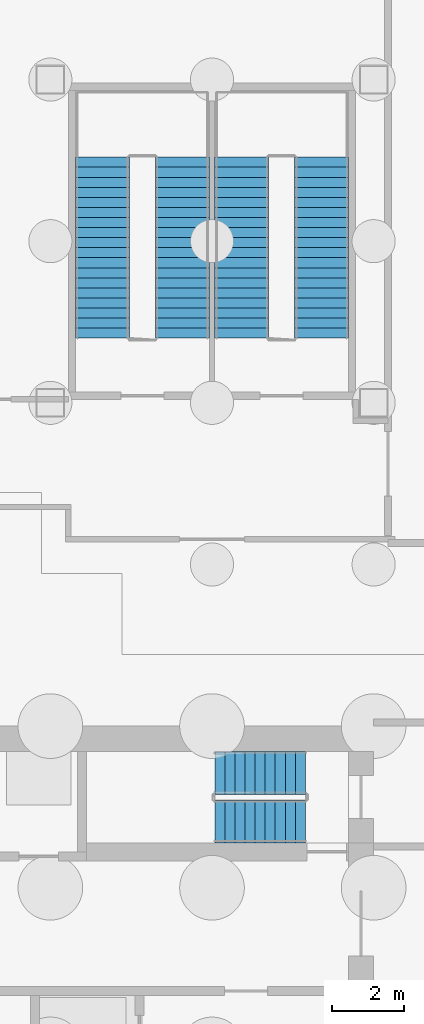
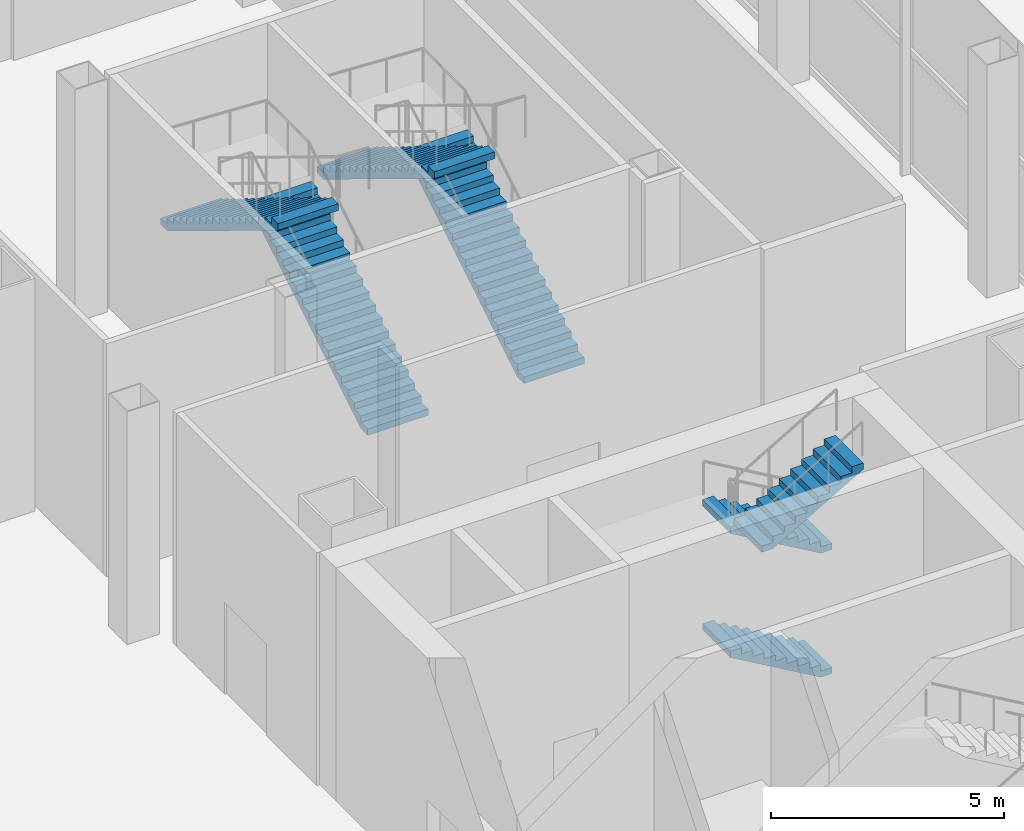
# One storey, part 29 of 37: 7 stair flights, 3 elements without a shape of their own.
"""IFC4 building model written with IfcOpenShell, lengths in metres."""

from ifc_helpers import new_model, si_unit, direction, frame, origin, place, context, subcontext, project, spatial, polyline, outline, extrude, material, type_object, element, aggregate, save


model = new_model("IFC4")

# Units and contexts
model_context = context("Model", 3, precision=1e-05, world=origin(), true_north=direction((0.0, 1.0)))
body_context = subcontext(model_context, "Body", "Model", "MODEL_VIEW")
ifc_project = project(units=[si_unit("LENGTHUNIT", "METRE"), si_unit("AREAUNIT", "SQUARE_METRE"), si_unit("VOLUMEUNIT", "CUBIC_METRE"), si_unit("PLANEANGLEUNIT", "RADIAN"), si_unit("MASSUNIT", "GRAM", prefix="KILO")], contexts=[model_context])

# Site, building, storey
site_placement = place(None, origin())
site = spatial("IfcSite", under=ifc_project, at=site_placement, CompositionType="ELEMENT")
building_placement = place(site_placement, origin())
building = spatial("IfcBuilding", under=site, at=building_placement, Name="Shamsa Quay Exchange Towers", CompositionType="ELEMENT")
storey_placement = place(building_placement, origin())
storey = spatial("IfcBuildingStorey", under=building, at=storey_placement, Name="L00", CompositionType="ELEMENT", Elevation=0.0)

# Stair, stair flights
ifc_material = material(Name="Concrete C40/50", Category="concrete")
stair_type_1 = type_object("IfcStairType", Name="EXIT STAIR 40 RISERS 162 MM", PredefinedType="HALF_TURN_STAIR", material=ifc_material)
stair_1_placement = place(storey_placement, origin())
stair_1 = element("IfcStair", 1, at=stair_1_placement, inside=storey, type_object=stair_type_1, Name="L00 Exit stair ST6", PredefinedType="HALF_TURN_STAIR")
stair_flight_type_1 = type_object("IfcStairFlightType", Name="EXIT STAIR FLIGHT 10 RISERS 162 MM", PredefinedType="STRAIGHT", material=ifc_material)
stair_flight_1_placement = place(storey_placement, frame((52.10009765625, 5.449951171875, 0.0), z_axis=(0.0, 0.0, 1.0), x_axis=(-1.0, 0.0, 0.0)))
stair_flight_1 = element("IfcStairFlight", 2, at=stair_flight_1_placement, type_object=stair_flight_type_1, Name="ST6 flight 1", NumberOfRisers=10, NumberOfTreads=9, PredefinedType="STRAIGHT", RiserHeight=0.1625, TreadLength=0.28, context=body_context, shape_type="SweptSolid", body=[
    extrude(outline(polyline([(0.0, 0.0), (0.0, 0.16259765625), (0.280029296875, 0.16259765625), (0.280029296875, 0.324951171875), (0.56005859375, 0.324951171875), (0.56005859375, 0.487548828125), (0.840087890625, 0.487548828125), (0.840087890625, 0.64990234375), (1.1201171875, 0.64990234375), (1.1201171875, 0.8125), (1.39990234375, 0.8125), (1.39990234375, 0.97509765625), (1.679931640625, 0.97509765625), (1.679931640625, 1.137451171875), (1.9599609375, 1.137451171875), (1.9599609375, 1.300048828125), (2.239990234375, 1.300048828125), (2.239990234375, 1.46240234375), (2.52001953125, 1.46240234375), (2.52001953125, 1.625), (2.52001953125, 1.30078125), (0.27880859375, 0.0), (0.0, 0.0)])), frame((0.0, 0.60009765625, 0.0), z_axis=(0.0, -1.0, 0.0), x_axis=(1.0, 0.0, 0.0)), (0.0, 0.0, 1.0), 1.199951171875),
])
stair_flight_2_placement = place(storey_placement, frame((52.10009765625, 5.449951171875, 3.25), z_axis=(0.0, 0.0, 1.0), x_axis=(-1.0, 0.0, 0.0)))
stair_flight_2 = element("IfcStairFlight", 3, at=stair_flight_2_placement, type_object=stair_flight_type_1, Name="ST6 flight 3", NumberOfRisers=10, NumberOfTreads=9, PredefinedType="STRAIGHT", RiserHeight=0.1625, TreadLength=0.28, context=body_context, shape_type="SweptSolid", body=[
    extrude(outline(polyline([(0.0, 0.0), (0.0, 0.16259765625), (0.280029296875, 0.16259765625), (0.280029296875, 0.324951171875), (0.56005859375, 0.324951171875), (0.56005859375, 0.487548828125), (0.840087890625, 0.487548828125), (0.840087890625, 0.64990234375), (1.1201171875, 0.64990234375), (1.1201171875, 0.8125), (1.39990234375, 0.8125), (1.39990234375, 0.97509765625), (1.679931640625, 0.97509765625), (1.679931640625, 1.137451171875), (1.9599609375, 1.137451171875), (1.9599609375, 1.300048828125), (2.239990234375, 1.300048828125), (2.239990234375, 1.46240234375), (2.52001953125, 1.46240234375), (2.52001953125, 1.625), (2.52001953125, 1.30078125), (0.27880859375, 0.0), (0.0, 0.0)])), frame((0.0, 0.60009765625, 0.0), z_axis=(0.0, -1.0, 0.0), x_axis=(1.0, 0.0, 0.0)), (0.0, 0.0, 1.0), 1.199951171875),
])
stair_flight_3_placement = place(storey_placement, frame((49.580078125, 4.10009765625, 4.875)))
stair_flight_3 = element("IfcStairFlight", 4, at=stair_flight_3_placement, type_object=stair_flight_type_1, Name="ST6 flight 4", NumberOfRisers=10, NumberOfTreads=9, PredefinedType="STRAIGHT", RiserHeight=0.1625, TreadLength=0.28, context=body_context, shape_type="SweptSolid", body=[
    extrude(outline(polyline([(0.0, 0.0), (0.0, 0.16259765625), (0.280029296875, 0.16259765625), (0.280029296875, 0.324951171875), (0.56005859375, 0.324951171875), (0.56005859375, 0.487548828125), (0.840087890625, 0.487548828125), (0.840087890625, 0.64990234375), (1.1201171875, 0.64990234375), (1.1201171875, 0.8125), (1.39990234375, 0.8125), (1.39990234375, 0.97509765625), (1.679931640625, 0.97509765625), (1.679931640625, 1.137451171875), (1.9599609375, 1.137451171875), (1.9599609375, 1.300048828125), (2.239990234375, 1.300048828125), (2.239990234375, 1.46240234375), (2.52001953125, 1.46240234375), (2.52001953125, 1.625), (2.52001953125, 1.30078125), (0.27880859375, 0.0), (0.0, 0.0)])), frame((0.0, 0.60009765625, 0.0), z_axis=(0.0, -1.0, 0.0), x_axis=(1.0, 0.0, 0.0)), (0.0, 0.0, 1.0), 1.199951171875),
])
aggregate(stair_1, [stair_flight_1, stair_flight_2, stair_flight_3])

stair_type_2 = type_object("IfcStairType", Name="PODIUM EXIT STAIR 38 RISERS 171 MM 1500 WIDE", PredefinedType="HALF_TURN_STAIR", material=ifc_material)
stair_2_placement = place(storey_placement, origin())
stair_2 = element("IfcStair", 5, at=stair_2_placement, inside=storey, type_object=stair_type_2, Name="L00 Exit stair PS4A", PredefinedType="HALF_TURN_STAIR")
stair_flight_type_2 = type_object("IfcStairFlightType", Name="PODIUM EXIT STAIR FLIGHT 19 RISERS 171 MM 1500 WIDE", PredefinedType="STRAIGHT", material=ifc_material)
stair_flight_4_placement = place(storey_placement, frame((48.675048828125, 17.550048828125, 0.0), z_axis=(0.0, 0.0, 1.0), x_axis=(0.0, 1.0, 0.0)))
stair_flight_4 = element("IfcStairFlight", 6, at=stair_flight_4_placement, type_object=stair_flight_type_2, Name="PS4A flight 1", NumberOfRisers=19, NumberOfTreads=18, PredefinedType="STRAIGHT", RiserHeight=0.171052632, TreadLength=0.28, context=body_context, shape_type="SweptSolid", body=[
    extrude(outline(polyline([(0.0, 0.0), (0.0, 0.171142578125), (0.280029296875, 0.171142578125), (0.280029296875, 0.342041015625), (0.56005859375, 0.342041015625), (0.56005859375, 0.51318359375), (0.840087890625, 0.51318359375), (0.840087890625, 0.684326171875), (1.1201171875, 0.684326171875), (1.1201171875, 0.855224609375), (1.39990234375, 0.855224609375), (1.39990234375, 1.0263671875), (1.679931640625, 1.0263671875), (1.679931640625, 1.197265625), (1.9599609375, 1.197265625), (1.9599609375, 1.368408203125), (2.239990234375, 1.368408203125), (2.239990234375, 1.53955078125), (2.52001953125, 1.53955078125), (2.52001953125, 1.71044921875), (2.800048828125, 1.71044921875), (2.800048828125, 1.881591796875), (3.080078125, 1.881591796875), (3.080078125, 2.052734375), (3.360107421875, 2.052734375), (3.360107421875, 2.2236328125), (3.639892578125, 2.2236328125), (3.639892578125, 2.394775390625), (3.919921875, 2.394775390625), (3.919921875, 2.565673828125), (4.199951171875, 2.565673828125), (4.199951171875, 2.73681640625), (4.47998046875, 2.73681640625), (4.47998046875, 2.907958984375), (4.760009765625, 2.907958984375), (4.760009765625, 3.078857421875), (5.0400390625, 3.078857421875), (5.0400390625, 3.25), (5.0400390625, 2.9033203125), (0.28759765625, 0.0), (0.0, 0.0)])), frame((0.0, 0.75, 0.0), z_axis=(0.0, -1.0, 0.0), x_axis=(1.0, 0.0, 0.0)), (0.0, 0.0, 1.0), 1.5),
])
stair_flight_5_placement = place(storey_placement, frame((46.449951171875, 22.590087890625, 3.25), z_axis=(0.0, 0.0, 1.0), x_axis=(0.0, -1.0, 0.0)))
stair_flight_5 = element("IfcStairFlight", 7, at=stair_flight_5_placement, type_object=stair_flight_type_2, Name="PS4A flight 2", NumberOfRisers=19, NumberOfTreads=18, PredefinedType="STRAIGHT", RiserHeight=0.171052632, TreadLength=0.28, context=body_context, shape_type="SweptSolid", body=[
    extrude(outline(polyline([(0.0, 0.0), (0.0, 0.171142578125), (0.280029296875, 0.171142578125), (0.280029296875, 0.342041015625), (0.56005859375, 0.342041015625), (0.56005859375, 0.51318359375), (0.840087890625, 0.51318359375), (0.840087890625, 0.684326171875), (1.1201171875, 0.684326171875), (1.1201171875, 0.855224609375), (1.39990234375, 0.855224609375), (1.39990234375, 1.0263671875), (1.679931640625, 1.0263671875), (1.679931640625, 1.197265625), (1.9599609375, 1.197265625), (1.9599609375, 1.368408203125), (2.239990234375, 1.368408203125), (2.239990234375, 1.53955078125), (2.52001953125, 1.53955078125), (2.52001953125, 1.71044921875), (2.800048828125, 1.71044921875), (2.800048828125, 1.881591796875), (3.080078125, 1.881591796875), (3.080078125, 2.052734375), (3.360107421875, 2.052734375), (3.360107421875, 2.2236328125), (3.639892578125, 2.2236328125), (3.639892578125, 2.394775390625), (3.919921875, 2.394775390625), (3.919921875, 2.565673828125), (4.199951171875, 2.565673828125), (4.199951171875, 2.73681640625), (4.47998046875, 2.73681640625), (4.47998046875, 2.907958984375), (4.760009765625, 2.907958984375), (4.760009765625, 3.078857421875), (5.0400390625, 3.078857421875), (5.0400390625, 3.25), (5.0400390625, 2.9033203125), (0.28759765625, 0.0), (0.0, 0.0)])), frame((0.0, 0.75, 0.0), z_axis=(0.0, -1.0, 0.0), x_axis=(1.0, 0.0, 0.0)), (0.0, 0.0, 1.0), 1.5),
])
aggregate(stair_2, [stair_flight_4, stair_flight_5])

stair_3_placement = place(storey_placement, origin())
stair_3 = element("IfcStair", 8, at=stair_3_placement, inside=storey, type_object=stair_type_2, Name="L00 Exit stair PS4B", PredefinedType="HALF_TURN_STAIR")
stair_flight_6_placement = place(storey_placement, frame((52.550048828125, 17.550048828125, 0.0), z_axis=(0.0, 0.0, 1.0), x_axis=(0.0, 1.0, 0.0)))
stair_flight_6 = element("IfcStairFlight", 9, at=stair_flight_6_placement, type_object=stair_flight_type_2, Name="PS4B flight 1", NumberOfRisers=19, NumberOfTreads=18, PredefinedType="STRAIGHT", RiserHeight=0.171052632, TreadLength=0.28, context=body_context, shape_type="SweptSolid", body=[
    extrude(outline(polyline([(0.0, 0.0), (0.0, 0.171142578125), (0.280029296875, 0.171142578125), (0.280029296875, 0.342041015625), (0.56005859375, 0.342041015625), (0.56005859375, 0.51318359375), (0.840087890625, 0.51318359375), (0.840087890625, 0.684326171875), (1.1201171875, 0.684326171875), (1.1201171875, 0.855224609375), (1.39990234375, 0.855224609375), (1.39990234375, 1.0263671875), (1.679931640625, 1.0263671875), (1.679931640625, 1.197265625), (1.9599609375, 1.197265625), (1.9599609375, 1.368408203125), (2.239990234375, 1.368408203125), (2.239990234375, 1.53955078125), (2.52001953125, 1.53955078125), (2.52001953125, 1.71044921875), (2.800048828125, 1.71044921875), (2.800048828125, 1.881591796875), (3.080078125, 1.881591796875), (3.080078125, 2.052734375), (3.360107421875, 2.052734375), (3.360107421875, 2.2236328125), (3.639892578125, 2.2236328125), (3.639892578125, 2.394775390625), (3.919921875, 2.394775390625), (3.919921875, 2.565673828125), (4.199951171875, 2.565673828125), (4.199951171875, 2.73681640625), (4.47998046875, 2.73681640625), (4.47998046875, 2.907958984375), (4.760009765625, 2.907958984375), (4.760009765625, 3.078857421875), (5.0400390625, 3.078857421875), (5.0400390625, 3.25), (5.0400390625, 2.9033203125), (0.28759765625, 0.0), (0.0, 0.0)])), frame((0.0, 0.75, 0.0), z_axis=(0.0, -1.0, 0.0), x_axis=(1.0, 0.0, 0.0)), (0.0, 0.0, 1.0), 1.5),
])
stair_flight_7_placement = place(storey_placement, frame((50.324951171875, 22.590087890625, 3.25), z_axis=(0.0, 0.0, 1.0), x_axis=(0.0, -1.0, 0.0)))
stair_flight_7 = element("IfcStairFlight", 10, at=stair_flight_7_placement, type_object=stair_flight_type_2, Name="PS4B flight 2", NumberOfRisers=19, NumberOfTreads=18, PredefinedType="STRAIGHT", RiserHeight=0.171052632, TreadLength=0.28, context=body_context, shape_type="SweptSolid", body=[
    extrude(outline(polyline([(0.0, 0.0), (0.0, 0.171142578125), (0.280029296875, 0.171142578125), (0.280029296875, 0.342041015625), (0.56005859375, 0.342041015625), (0.56005859375, 0.51318359375), (0.840087890625, 0.51318359375), (0.840087890625, 0.684326171875), (1.1201171875, 0.684326171875), (1.1201171875, 0.855224609375), (1.39990234375, 0.855224609375), (1.39990234375, 1.0263671875), (1.679931640625, 1.0263671875), (1.679931640625, 1.197265625), (1.9599609375, 1.197265625), (1.9599609375, 1.368408203125), (2.239990234375, 1.368408203125), (2.239990234375, 1.53955078125), (2.52001953125, 1.53955078125), (2.52001953125, 1.71044921875), (2.800048828125, 1.71044921875), (2.800048828125, 1.881591796875), (3.080078125, 1.881591796875), (3.080078125, 2.052734375), (3.360107421875, 2.052734375), (3.360107421875, 2.2236328125), (3.639892578125, 2.2236328125), (3.639892578125, 2.394775390625), (3.919921875, 2.394775390625), (3.919921875, 2.565673828125), (4.199951171875, 2.565673828125), (4.199951171875, 2.73681640625), (4.47998046875, 2.73681640625), (4.47998046875, 2.907958984375), (4.760009765625, 2.907958984375), (4.760009765625, 3.078857421875), (5.0400390625, 3.078857421875), (5.0400390625, 3.25), (5.0400390625, 2.9033203125), (0.28759765625, 0.0), (0.0, 0.0)])), frame((0.0, 0.75, 0.0), z_axis=(0.0, -1.0, 0.0), x_axis=(1.0, 0.0, 0.0)), (0.0, 0.0, 1.0), 1.5),
])
aggregate(stair_3, [stair_flight_6, stair_flight_7])

save(model, "model.ifc")
